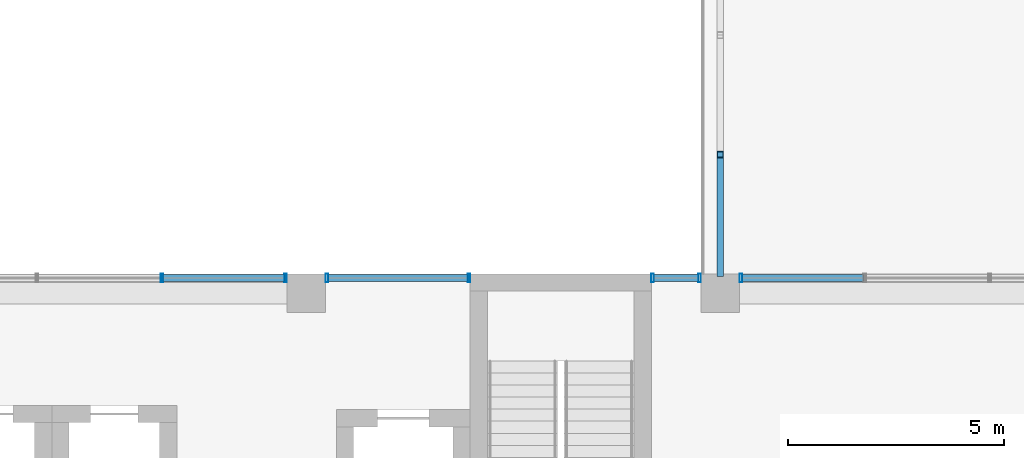
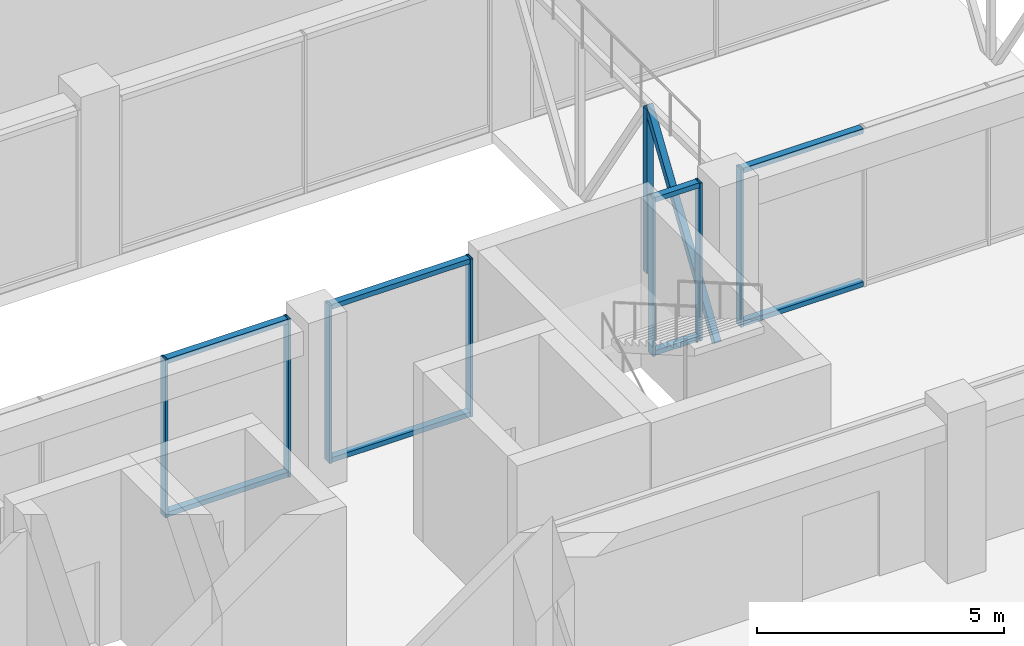
# One storey, part 9 of 38: 17 members, 4 elements without a shape of their own.
"""IFC4 building model written with IfcOpenShell, lengths in metres."""

from ifc_helpers import new_model, si_unit, direction, frame, origin, origin_2d, place, context, subcontext, project, spatial, hollow_rectangle, extrude, material, layer, layer_set, material_profile, profile_set, type_object, element, aggregate, save


model = new_model("IFC4")

# Units and contexts
model_context = context("Model", 3, precision=1e-05, world=origin(), true_north=direction((0.0, 1.0)))
body_context = subcontext(model_context, "Body", "Model", "MODEL_VIEW")
ifc_project = project(units=[si_unit("LENGTHUNIT", "METRE"), si_unit("AREAUNIT", "SQUARE_METRE"), si_unit("VOLUMEUNIT", "CUBIC_METRE"), si_unit("PLANEANGLEUNIT", "RADIAN"), si_unit("MASSUNIT", "GRAM", prefix="KILO")], contexts=[model_context])

# Site, building, storey
site_placement = place(None, origin())
site = spatial("IfcSite", under=ifc_project, at=site_placement, CompositionType="ELEMENT")
building_placement = place(site_placement, origin())
building = spatial("IfcBuilding", under=site, at=building_placement, Name="Nzadi Deep Aquarium and Research Tower", CompositionType="ELEMENT")
storey_placement = place(building_placement, frame((0.0, 0.0, 65.5)))
storey = spatial("IfcBuildingStorey", under=building, at=storey_placement, Name="L13", CompositionType="ELEMENT", Elevation=65.5)

# Curtain wall, members
ifc_material_1 = material(Name="Aluminium unitised frame", Category="aluminium")
ifc_layer = layer(ifc_material_1, 0.199951171875)
ifc_layer_set = layer_set([ifc_layer], Name="Aluminium unitised frame")
curtain_wall_type = type_object("IfcCurtainWallType", Name="Curtain wall Unitised 200", PredefinedType="NOTDEFINED", material=ifc_layer_set)
curtain_wall_1_placement = place(storey_placement, origin())
curtain_wall_1 = element("IfcCurtainWall", 1, at=curtain_wall_1_placement, inside=storey, type_object=curtain_wall_type, Name="Unitised curtain wall blade A north L13", PredefinedType="NOTDEFINED")
ifc_material_2 = material(Name="Aluminium unitised frame", Category="aluminium")
ifc_material_profile_1 = material_profile(ifc_material_2, hollow_rectangle(XDim=0.199951171875, YDim=0.06005859375, WallThickness=0.0048828125, at=origin_2d()))
ifc_profile_set_1 = profile_set([ifc_material_profile_1], Name="Aluminium unitised frame")
member_type_1 = type_object("IfcMemberType", Name="Mullion 60x200 Unitised", PredefinedType="MULLION", material=ifc_profile_set_1)
member_1_placement = place(storey_placement, frame((15.85009765625, 18.75, 0.0), z_axis=(0.0, 0.0, 1.0), x_axis=(0.0, 1.0, 0.0)))
member_1 = element("IfcMember", 2, at=member_1_placement, type_object=member_type_1, Name="CW059 mullion 3", PredefinedType="MULLION", context=body_context, shape_type="SweptSolid", body=[
    extrude(hollow_rectangle(XDim=0.199951171875, YDim=0.06005859375, WallThickness=0.0048828125, at=origin_2d()), origin(), (0.0, 0.0, 1.0), 3.89990234375),
])
member_2_placement = place(storey_placement, frame((18.719970703125, 18.75, 0.0), z_axis=(0.0, 0.0, 1.0), x_axis=(0.0, 1.0, 0.0)))
member_2 = element("IfcMember", 3, at=member_2_placement, type_object=member_type_1, Name="CW059 mullion 4", PredefinedType="MULLION", context=body_context, shape_type="SweptSolid", body=[
    extrude(hollow_rectangle(XDim=0.199951171875, YDim=0.06005859375, WallThickness=0.0048828125, at=origin_2d()), origin(), (0.0, 0.0, 1.0), 3.89990234375),
])

curtain_wall_2_placement = place(storey_placement, origin())
curtain_wall_2 = element("IfcCurtainWall", 4, at=curtain_wall_2_placement, inside=storey, type_object=curtain_wall_type, Name="Unitised curtain wall blade A north L13", PredefinedType="NOTDEFINED")
member_3_placement = place(storey_placement, frame((19.679931640625, 18.75, 0.0), z_axis=(0.0, 0.0, 1.0), x_axis=(0.0, 1.0, 0.0)))
member_3 = element("IfcMember", 5, at=member_3_placement, type_object=member_type_1, Name="CW060 mullion 1", PredefinedType="MULLION", context=body_context, shape_type="SweptSolid", body=[
    extrude(hollow_rectangle(XDim=0.199951171875, YDim=0.06005859375, WallThickness=0.0048828125, at=origin_2d()), origin(), (0.0, 0.0, 1.0), 3.89990234375),
])
member_4_placement = place(storey_placement, frame((22.969970703125, 18.75, 0.0), z_axis=(0.0, 0.0, 1.0), x_axis=(0.0, 1.0, 0.0)))
member_4 = element("IfcMember", 6, at=member_4_placement, type_object=member_type_1, Name="CW060 mullion 2", PredefinedType="MULLION", context=body_context, shape_type="SweptSolid", body=[
    extrude(hollow_rectangle(XDim=0.199951171875, YDim=0.06005859375, WallThickness=0.0048828125, at=origin_2d()), origin(), (0.0, 0.0, 1.0), 3.89990234375),
])

curtain_wall_3_placement = place(storey_placement, origin())
curtain_wall_3 = element("IfcCurtainWall", 7, at=curtain_wall_3_placement, inside=storey, type_object=curtain_wall_type, Name="Unitised curtain wall blade A north L13", PredefinedType="NOTDEFINED")
member_5_placement = place(storey_placement, frame((27.22998046875, 18.75, 0.0), z_axis=(0.0, 0.0, 1.0), x_axis=(0.0, 1.0, 0.0)))
member_5 = element("IfcMember", 8, at=member_5_placement, type_object=member_type_1, Name="CW061 mullion 1", PredefinedType="MULLION", context=body_context, shape_type="SweptSolid", body=[
    extrude(hollow_rectangle(XDim=0.199951171875, YDim=0.06005859375, WallThickness=0.0048828125, at=origin_2d()), origin(), (0.0, 0.0, 1.0), 3.89990234375),
])
member_6_placement = place(storey_placement, frame((28.320068359375, 18.75, 0.0), z_axis=(0.0, 0.0, 1.0), x_axis=(0.0, 1.0, 0.0)))
member_6 = element("IfcMember", 9, at=member_6_placement, type_object=member_type_1, Name="CW061 mullion 2", PredefinedType="MULLION", context=body_context, shape_type="SweptSolid", body=[
    extrude(hollow_rectangle(XDim=0.199951171875, YDim=0.06005859375, WallThickness=0.0048828125, at=origin_2d()), origin(), (0.0, 0.0, 1.0), 3.89990234375),
])

# Curtain wall, member
curtain_wall_4_placement = place(storey_placement, origin())
curtain_wall_4 = element("IfcCurtainWall", 10, at=curtain_wall_4_placement, inside=storey, type_object=curtain_wall_type, Name="Unitised curtain wall blade A north L13", PredefinedType="NOTDEFINED")
member_7_placement = place(storey_placement, frame((29.280029296875, 18.75, 0.0), z_axis=(0.0, 0.0, 1.0), x_axis=(0.0, 1.0, 0.0)))
member_7 = element("IfcMember", 11, at=member_7_placement, type_object=member_type_1, Name="CW062 mullion 1", PredefinedType="MULLION", context=body_context, shape_type="SweptSolid", body=[
    extrude(hollow_rectangle(XDim=0.199951171875, YDim=0.06005859375, WallThickness=0.0048828125, at=origin_2d()), origin(), (0.0, 0.0, 1.0), 3.89990234375),
])

# Members
ifc_material_3 = material(Name="Steel S355", Category="steel")
ifc_material_profile_2 = material_profile(ifc_material_3, hollow_rectangle(XDim=0.14990234375, YDim=0.14990234375, WallThickness=0.010009765625, at=origin_2d()))
ifc_profile_set_2 = profile_set([ifc_material_profile_2], Name="Steel S355")
member_type_2 = type_object("IfcMemberType", Name="RHS 150x150x10 brace", PredefinedType="BRACE", material=ifc_profile_set_2)
member_8_placement = place(storey_placement, frame((28.800048828125, 18.85009765625, -0.324951171875), z_axis=(0.0, 0.550098751185, 0.835099613187), x_axis=(-1.0, 0.0, 0.0)))
element("IfcMember", 12, at=member_8_placement, inside=storey, type_object=member_type_2, Name="MB-BR-L13-T1-D1", PredefinedType="BRACE", context=body_context, shape_type="SweptSolid", body=[
    extrude(hollow_rectangle(XDim=0.14990234375, YDim=0.14990234375, WallThickness=0.010009765625, at=origin_2d()), origin(), (0.0, 0.0, 1.0), 5.029296875),
])
ifc_material_4 = material(Name="Steel S355", Category="steel")
ifc_material_profile_3 = material_profile(ifc_material_4, hollow_rectangle(XDim=0.14990234375, YDim=0.14990234375, WallThickness=0.008056640625, at=origin_2d()))
ifc_profile_set_3 = profile_set([ifc_material_profile_3], Name="Steel S355")
member_type_3 = type_object("IfcMemberType", Name="RHS 150x150x8 post", PredefinedType="POST", material=ifc_profile_set_3)
member_9_placement = place(storey_placement, frame((28.800048828125, 21.61669921875, -0.25), z_axis=(0.0, 0.0, 1.0), x_axis=(1.0, 0.0, 0.0)))
element("IfcMember", 13, at=member_9_placement, inside=storey, type_object=member_type_3, Name="MB-BR-L13-T1-V1", PredefinedType="POST", context=body_context, shape_type="SweptSolid", body=[
    extrude(hollow_rectangle(XDim=0.14990234375, YDim=0.14990234375, WallThickness=0.008056640625, at=origin_2d()), origin(), (0.0, 0.0, 1.0), 4.050048828125),
])

# Member
ifc_material_5 = material(Name="Aluminium unitised frame", Category="aluminium")
ifc_material_profile_4 = material_profile(ifc_material_5, hollow_rectangle(XDim=0.159912109375, YDim=0.1201171875, WallThickness=0.0048828125, at=origin_2d()))
ifc_profile_set_4 = profile_set([ifc_material_profile_4], Name="Aluminium unitised frame")
member_type_4 = type_object("IfcMemberType", Name="Transom 120x160 Unitised", PredefinedType="MULLION", material=ifc_profile_set_4)
member_10_placement = place(storey_placement, frame((15.8798828125, 18.75, 0.06005859375), z_axis=(1.0, 0.0, 0.0), x_axis=(0.0, 1.0, 0.0)))
member_10 = element("IfcMember", 14, at=member_10_placement, type_object=member_type_4, Name="CW059 transom 3.1", PredefinedType="MULLION", context=body_context, shape_type="SweptSolid", body=[
    extrude(hollow_rectangle(XDim=0.159912109375, YDim=0.1201171875, WallThickness=0.0048828125, at=origin_2d()), origin(), (0.0, 0.0, 1.0), 2.81005859375),
])

member_11_placement = place(storey_placement, frame((15.8798828125, 18.75, 3.840087890625), z_axis=(1.0, 0.0, 0.0), x_axis=(0.0, 1.0, 0.0)))
member_11 = element("IfcMember", 15, at=member_11_placement, type_object=member_type_4, Name="CW059 transom 3.2", PredefinedType="MULLION", context=body_context, shape_type="SweptSolid", body=[
    extrude(hollow_rectangle(XDim=0.159912109375, YDim=0.1201171875, WallThickness=0.0048828125, at=origin_2d()), origin(), (0.0, 0.0, 1.0), 2.81005859375),
])

aggregate(curtain_wall_1, [member_1, member_2, member_10, member_11])

member_12_placement = place(storey_placement, frame((19.7099609375, 18.75, 0.06005859375), z_axis=(1.0, 0.0, 0.0), x_axis=(0.0, 1.0, 0.0)))
member_12 = element("IfcMember", 16, at=member_12_placement, type_object=member_type_4, Name="CW060 transom 1.1", PredefinedType="MULLION", context=body_context, shape_type="SweptSolid", body=[
    extrude(hollow_rectangle(XDim=0.159912109375, YDim=0.1201171875, WallThickness=0.0048828125, at=origin_2d()), origin(), (0.0, 0.0, 1.0), 3.22998046875),
])

member_13_placement = place(storey_placement, frame((19.7099609375, 18.75, 3.840087890625), z_axis=(1.0, 0.0, 0.0), x_axis=(0.0, 1.0, 0.0)))
member_13 = element("IfcMember", 17, at=member_13_placement, type_object=member_type_4, Name="CW060 transom 1.2", PredefinedType="MULLION", context=body_context, shape_type="SweptSolid", body=[
    extrude(hollow_rectangle(XDim=0.159912109375, YDim=0.1201171875, WallThickness=0.0048828125, at=origin_2d()), origin(), (0.0, 0.0, 1.0), 3.22998046875),
])

aggregate(curtain_wall_2, [member_3, member_4, member_12, member_13])

member_14_placement = place(storey_placement, frame((27.260009765625, 18.75, 0.06005859375), z_axis=(1.0, 0.0, 0.0), x_axis=(0.0, 1.0, 0.0)))
member_14 = element("IfcMember", 18, at=member_14_placement, type_object=member_type_4, Name="CW061 transom 1.1", PredefinedType="MULLION", context=body_context, shape_type="SweptSolid", body=[
    extrude(hollow_rectangle(XDim=0.159912109375, YDim=0.1201171875, WallThickness=0.0048828125, at=origin_2d()), origin(), (0.0, 0.0, 1.0), 1.030029296875),
])

member_15_placement = place(storey_placement, frame((27.260009765625, 18.75, 3.840087890625), z_axis=(1.0, 0.0, 0.0), x_axis=(0.0, 1.0, 0.0)))
member_15 = element("IfcMember", 19, at=member_15_placement, type_object=member_type_4, Name="CW061 transom 1.2", PredefinedType="MULLION", context=body_context, shape_type="SweptSolid", body=[
    extrude(hollow_rectangle(XDim=0.159912109375, YDim=0.1201171875, WallThickness=0.0048828125, at=origin_2d()), origin(), (0.0, 0.0, 1.0), 1.030029296875),
])

aggregate(curtain_wall_3, [member_5, member_6, member_14, member_15])

member_16_placement = place(storey_placement, frame((29.31005859375, 18.75, 0.06005859375), z_axis=(1.0, 0.0, 0.0), x_axis=(0.0, 1.0, 0.0)))
member_16 = element("IfcMember", 20, at=member_16_placement, type_object=member_type_4, Name="CW062 transom 1.1", PredefinedType="MULLION", context=body_context, shape_type="SweptSolid", body=[
    extrude(hollow_rectangle(XDim=0.159912109375, YDim=0.1201171875, WallThickness=0.0048828125, at=origin_2d()), origin(), (0.0, 0.0, 1.0), 2.81005859375),
])

member_17_placement = place(storey_placement, frame((29.31005859375, 18.75, 3.840087890625), z_axis=(1.0, 0.0, 0.0), x_axis=(0.0, 1.0, 0.0)))
member_17 = element("IfcMember", 21, at=member_17_placement, type_object=member_type_4, Name="CW062 transom 1.2", PredefinedType="MULLION", context=body_context, shape_type="SweptSolid", body=[
    extrude(hollow_rectangle(XDim=0.159912109375, YDim=0.1201171875, WallThickness=0.0048828125, at=origin_2d()), origin(), (0.0, 0.0, 1.0), 2.81005859375),
])

aggregate(curtain_wall_4, [member_7, member_16, member_17])

save(model, "model.ifc")
